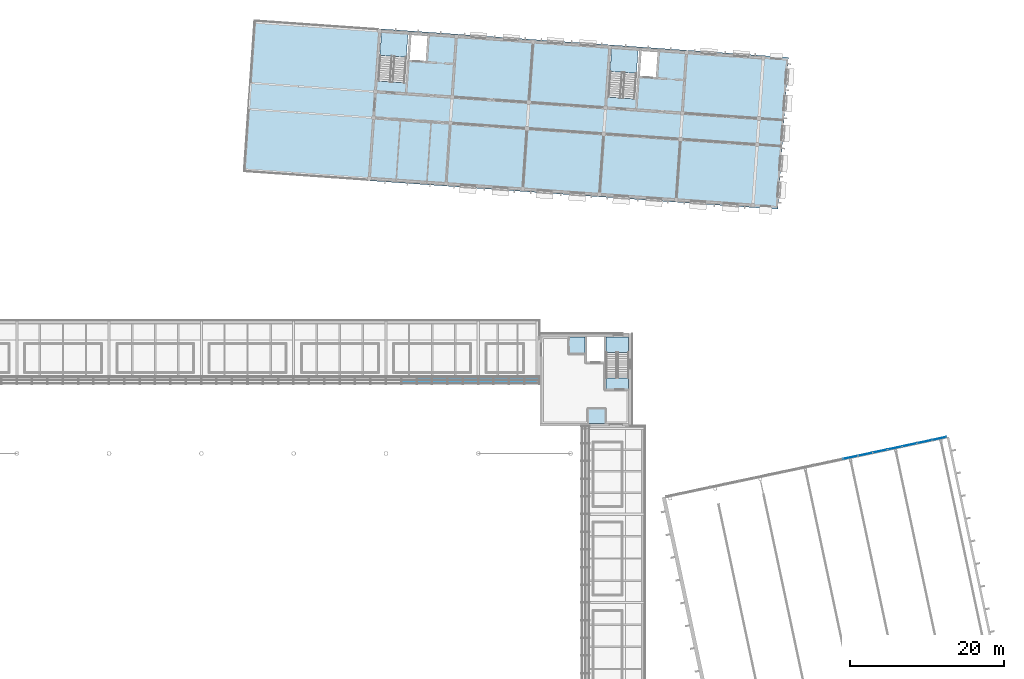
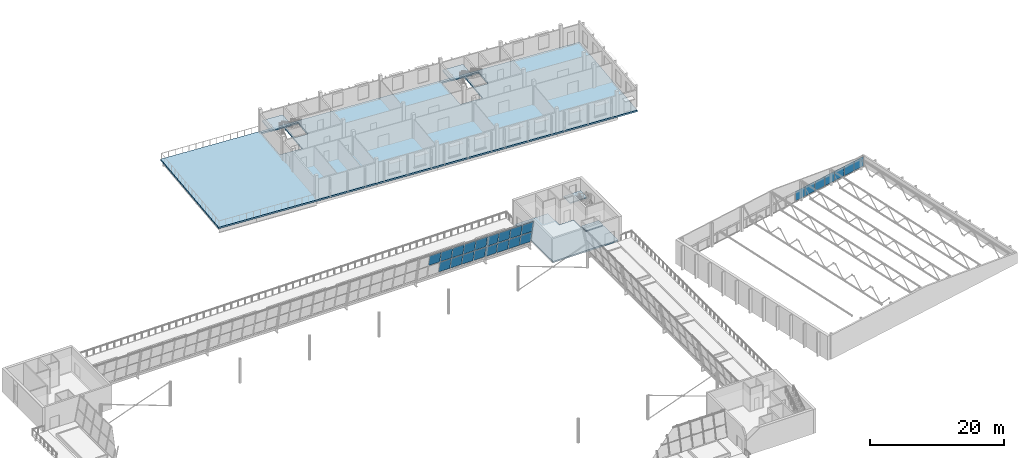
# One storey, part 29 of 58: 24 plates, 6 slabs, 5 elements without a shape of their own.
"""IFC4 building model written with IfcOpenShell, lengths in metres."""

from ifc_helpers import new_model, si_unit, direction, frame, origin, origin_2d, place, context, subcontext, project, spatial, polyline, rectangle, outline, extrude, material, layer, layer_set, type_object, element, aggregate, save


model = new_model("IFC4")

# Units and contexts
model_context = context("Model", 3, precision=1e-05, world=origin(), true_north=direction((0.0, 1.0)))
body_context = subcontext(model_context, "Body", "Model", "MODEL_VIEW")
ifc_project = project(units=[si_unit("LENGTHUNIT", "METRE"), si_unit("AREAUNIT", "SQUARE_METRE"), si_unit("VOLUMEUNIT", "CUBIC_METRE"), si_unit("PLANEANGLEUNIT", "RADIAN"), si_unit("MASSUNIT", "GRAM", prefix="KILO")], contexts=[model_context])

# Site, building, storey
site_placement = place(None, origin())
site = spatial("IfcSite", under=ifc_project, at=site_placement, CompositionType="ELEMENT")
building_placement = place(site_placement, origin())
building = spatial("IfcBuilding", under=site, at=building_placement, Name="Windward Yard Aquatics Centre", CompositionType="ELEMENT")
storey_placement = place(building_placement, frame((0.0, 0.0, 13.800048828125)))
storey = spatial("IfcBuildingStorey", under=building, at=storey_placement, Name="L03", CompositionType="ELEMENT", Elevation=13.800048828125)

# Curtain wall, plates
ifc_material_1 = material(Name="Aluminium and glass", Category="aluminium")
ifc_layer_1 = layer(ifc_material_1, 0.159912109375)
ifc_layer_set_1 = layer_set([ifc_layer_1], Name="D curtain wall 160")
curtain_wall_type_1 = type_object("IfcCurtainWallType", Name="D curtain wall 160", PredefinedType="NOTDEFINED", material=ifc_layer_set_1)
curtain_wall_1_placement = place(storey_placement, origin())
curtain_wall_1 = element("IfcCurtainWall", 1, at=curtain_wall_1_placement, inside=storey, type_object=curtain_wall_type_1, Name="North glazing L03", PredefinedType="NOTDEFINED")
ifc_material_2 = material(Name="Laminated low-iron glass", Category="glass")
ifc_layer_2 = layer(ifc_material_2, 0.028076171875)
ifc_layer_set_2 = layer_set([ifc_layer_2], Name="D curtain wall glass panel 28")
plate_type_1 = type_object("IfcPlateType", Name="D curtain wall glass panel 28", PredefinedType="CURTAIN_PANEL", material=ifc_layer_set_2)
plate_1_placement = place(storey_placement, frame((180.4052734375, 79.890869140625, 0.1201171875), z_axis=(0.0, 0.0, 1.0), x_axis=(0.978147594815, 0.207911718662, 0.0)))
plate_1 = element("IfcPlate", 2, at=plate_1_placement, type_object=plate_type_1, Name="DCW-L03 panel 13.1", PredefinedType="CURTAIN_PANEL", context=body_context, shape_type="SweptSolid", body=[
    extrude(rectangle(XDim=1.90576171875, YDim=0.028076171875, at=origin_2d()), origin(), (0.0, 0.0, 1.0), 1.760009765625),
])
plate_2_placement = place(storey_placement, frame((182.328125, 80.2998046875, 0.1201171875), z_axis=(0.0, 0.0, 1.0), x_axis=(0.978147594815, 0.207911718662, 0.0)))
plate_2 = element("IfcPlate", 3, at=plate_2_placement, type_object=plate_type_1, Name="DCW-L03 panel 14.1", PredefinedType="CURTAIN_PANEL", context=body_context, shape_type="SweptSolid", body=[
    extrude(rectangle(XDim=1.90576171875, YDim=0.028076171875, at=origin_2d()), origin(), (0.0, 0.0, 1.0), 1.760009765625),
])
plate_3_placement = place(storey_placement, frame((184.2509765625, 80.70849609375, 0.1201171875), z_axis=(0.0, 0.0, 1.0), x_axis=(0.978147594815, 0.207911718662, 0.0)))
plate_3 = element("IfcPlate", 4, at=plate_3_placement, type_object=plate_type_1, Name="DCW-L03 panel 15.1", PredefinedType="CURTAIN_PANEL", context=body_context, shape_type="SweptSolid", body=[
    extrude(rectangle(XDim=1.90576171875, YDim=0.028076171875, at=origin_2d()), origin(), (0.0, 0.0, 1.0), 1.760009765625),
])
plate_4_placement = place(storey_placement, frame((186.173583984375, 81.1171875, 0.1201171875), z_axis=(0.0, 0.0, 1.0), x_axis=(0.978147594815, 0.207911718662, 0.0)))
plate_4 = element("IfcPlate", 5, at=plate_4_placement, type_object=plate_type_1, Name="DCW-L03 panel 16.1", PredefinedType="CURTAIN_PANEL", context=body_context, shape_type="SweptSolid", body=[
    extrude(rectangle(XDim=1.90576171875, YDim=0.028076171875, at=origin_2d()), origin(), (0.0, 0.0, 1.0), 1.760009765625),
])
plate_5_placement = place(storey_placement, frame((188.096435546875, 81.52587890625, 0.1201171875), z_axis=(0.0, 0.0, 1.0), x_axis=(0.978147594815, 0.207911718662, 0.0)))
plate_5 = element("IfcPlate", 6, at=plate_5_placement, type_object=plate_type_1, Name="DCW-L03 panel 17.1", PredefinedType="CURTAIN_PANEL", context=body_context, shape_type="SweptSolid", body=[
    extrude(rectangle(XDim=1.90576171875, YDim=0.028076171875, at=origin_2d()), origin(), (0.0, 0.0, 1.0), 1.760009765625),
])
plate_6_placement = place(storey_placement, frame((190.019287109375, 81.9345703125, 0.1201171875), z_axis=(0.0, 0.0, 1.0), x_axis=(0.978147594815, 0.207911718662, 0.0)))
plate_6 = element("IfcPlate", 7, at=plate_6_placement, type_object=plate_type_1, Name="DCW-L03 panel 18.1", PredefinedType="CURTAIN_PANEL", context=body_context, shape_type="SweptSolid", body=[
    extrude(rectangle(XDim=1.90576171875, YDim=0.028076171875, at=origin_2d()), origin(), (0.0, 0.0, 1.0), 1.760009765625),
])
plate_7_placement = place(storey_placement, frame((191.927490234375, 82.340087890625, 0.1201171875), z_axis=(0.0, 0.0, 1.0), x_axis=(0.978147594815, 0.207911718662, 0.0)))
plate_7 = element("IfcPlate", 8, at=plate_7_placement, type_object=plate_type_1, Name="DCW-L03 panel 19.1", PredefinedType="CURTAIN_PANEL", context=body_context, shape_type="SweptSolid", body=[
    extrude(rectangle(XDim=1.875732421875, YDim=0.028076171875, at=origin_2d()), origin(), (0.0, 0.0, 1.0), 1.760009765625),
])
aggregate(curtain_wall_1, [plate_1, plate_2, plate_3, plate_4, plate_5, plate_6, plate_7])

# Slabs
ifc_material_3 = material(Name="Concrete C35/45", Category="concrete")
ifc_layer_3 = layer(ifc_material_3, 0.25)
ifc_layer_set_3 = layer_set([ifc_layer_3], Name="H Core Floor Concrete C35/45 250")
slab_type_1 = type_object("IfcSlabType", Name="H Core Floor Concrete C35/45 250", PredefinedType="FLOOR", material=ifc_layer_set_3)
slab_1_placement = place(storey_placement, frame((0.0, 0.0, -0.25)))
element("IfcSlab", 9, at=slab_1_placement, inside=storey, type_object=slab_type_1, Name="L03 core floor NE", PredefinedType="FLOOR", context=body_context, shape_type="SweptSolid", body=[
    extrude(outline(polyline([(140.300048828125, 84.300048828125), (151.550048828125, 84.300048828125), (151.550048828125, 88.60009765625), (148.39990234375, 88.60009765625), (148.39990234375, 92.14990234375), (145.89990234375, 92.14990234375), (145.89990234375, 95.550048828125), (140.300048828125, 95.550048828125), (140.300048828125, 84.300048828125)])), origin(), (0.0, 0.0, 1.0), 0.25),
])
slab_2_placement = place(storey_placement, frame((0.0, 0.0, -0.25)))
element("IfcSlab", 10, at=slab_2_placement, inside=storey, type_object=slab_type_1, Name="L03 stair floor landing NE", PredefinedType="FLOOR", context=body_context, shape_type="SweptSolid", body=[
    extrude(outline(polyline([(148.60009765625, 88.800048828125), (151.550048828125, 88.800048828125), (151.550048828125, 90.199951171875), (148.60009765625, 90.199951171875), (148.60009765625, 88.800048828125)])), origin(), (0.0, 0.0, 1.0), 0.25),
])

# Stair, slab
stair_type_1 = type_object("IfcStairType", Name="H Core Stair Concrete C35/45 1400", PredefinedType="HALF_TURN_STAIR", material=ifc_material_3)
stair_1_placement = place(storey_placement, origin())
stair_1 = element("IfcStair", 11, at=stair_1_placement, inside=storey, type_object=stair_type_1, Name="L03 Stair NE", PredefinedType="HALF_TURN_STAIR")
ifc_layer_4 = layer(ifc_material_3, 0.199951171875)
ifc_layer_set_4 = layer_set([ifc_layer_4], Name="H Stair Landing Concrete C35/45 200")
slab_type_2 = type_object("IfcSlabType", Name="H Stair Landing Concrete C35/45 200", PredefinedType="LANDING", material=ifc_layer_set_4)
slab_3_placement = place(storey_placement, frame((0.0, 0.0, 2.0)))
slab_3 = element("IfcSlab", 12, at=slab_3_placement, type_object=slab_type_2, Name="ST4 landing 1", PredefinedType="LANDING", context=body_context, shape_type="SweptSolid", body=[
    extrude(outline(polyline([(148.60009765625, 93.56005859375), (151.550048828125, 93.56005859375), (151.550048828125, 95.550048828125), (148.60009765625, 95.550048828125), (148.60009765625, 93.56005859375)])), origin(), (0.0, 0.0, 1.0), 0.199951171875),
])
aggregate(stair_1, [slab_3])

# Curtain wall, plates
ifc_material_4 = material(Name="Glass and aluminium curtain wall", Category="aluminium")
ifc_layer_5 = layer(ifc_material_4, 0.179931640625)
ifc_layer_set_5 = layer_set([ifc_layer_5], Name="H curtain wall tier 2 double glazed 6+16+6")
curtain_wall_type_2 = type_object("IfcCurtainWallType", Name="H curtain wall tier 2 double glazed 6+16+6", PredefinedType="NOTDEFINED", material=ifc_layer_set_5)
curtain_wall_2_placement = place(storey_placement, origin())
curtain_wall_2 = element("IfcCurtainWall", 13, at=curtain_wall_2_placement, inside=storey, type_object=curtain_wall_type_2, Name="Tier 2 glazing N L03", PredefinedType="NOTDEFINED")
ifc_material_5 = material(Name="Low-iron glass", Category="glass")
ifc_layer_6 = layer(ifc_material_5, 0.006, Name="Outer pane")
ifc_material_6 = material(Name="Argon-filled cavity")
ifc_layer_7 = layer(ifc_material_6, 0.016, Name="Cavity")
ifc_layer_8 = layer(ifc_material_5, 0.006, Name="Inner pane")
ifc_layer_set_6 = layer_set([ifc_layer_6, ifc_layer_7, ifc_layer_8], Name="H tier 2 glass low-e double glazed unit 28")
plate_type_2 = type_object("IfcPlateType", Name="H tier 2 glass low-e double glazed unit 28", PredefinedType="CURTAIN_PANEL", material=ifc_layer_set_6)
plate_8_placement = place(storey_placement, frame((122.034912109375, 89.528564453125, 4.3046875), z_axis=(0.0, 0.979943605564, 0.199275010764), x_axis=(0.0, 0.199275010764, -0.979943605564)))
plate_8 = element("IfcPlate", 14, at=plate_8_placement, type_object=plate_type_2, Name="G2NB panel 11.2", PredefinedType="CURTAIN_PANEL", context=body_context, shape_type="SweptSolid", body=[
    extrude(outline(polyline([(0.0, 0.0), (2.094997, 0.0), (2.094997, -1.934814), (0.0, -1.934814), (0.0, 0.0)])), origin(), (0.0, 0.0, -1.0), 0.028076171875),
])
plate_9_placement = place(storey_placement, frame((124.03466796875, 89.966064453125, 2.15380859375), z_axis=(0.0, 0.979914212601, 0.199419497399), x_axis=(0.0, 0.199419497399, -0.979914212601)))
plate_9 = element("IfcPlate", 15, at=plate_9_placement, type_object=plate_type_2, Name="G2NB panel 12.1", PredefinedType="CURTAIN_PANEL", context=body_context, shape_type="SweptSolid", body=[
    extrude(outline(polyline([(0.0, 0.0), (2.088582, 0.0), (2.088582, -1.93457), (0.0, -1.93457), (0.0, 0.0)])), origin(), (0.0, 0.0, -1.0), 0.028076171875),
])
plate_10_placement = place(storey_placement, frame((124.03466796875, 89.528564453125, 4.3046875), z_axis=(0.0, 0.979943605564, 0.199275010764), x_axis=(0.0, 0.199275010764, -0.979943605564)))
plate_10 = element("IfcPlate", 16, at=plate_10_placement, type_object=plate_type_2, Name="G2NB panel 12.2", PredefinedType="CURTAIN_PANEL", context=body_context, shape_type="SweptSolid", body=[
    extrude(outline(polyline([(0.0, 0.0), (2.094997, 0.0), (2.094997, -1.93457), (0.0, -1.93457), (0.0, 0.0)])), origin(), (0.0, 0.0, -1.0), 0.028076171875),
])
plate_11_placement = place(storey_placement, frame((126.034423828125, 89.966064453125, 2.15380859375), z_axis=(0.0, 0.979914212601, 0.199419497399), x_axis=(0.0, 0.199419497399, -0.979914212601)))
plate_11 = element("IfcPlate", 17, at=plate_11_placement, type_object=plate_type_2, Name="G2NB panel 13.1", PredefinedType="CURTAIN_PANEL", context=body_context, shape_type="SweptSolid", body=[
    extrude(outline(polyline([(0.0, 0.0), (2.088582, 0.0), (2.088582, -1.93457), (0.0, -1.93457), (0.0, 0.0)])), origin(), (0.0, 0.0, -1.0), 0.028076171875),
])
plate_12_placement = place(storey_placement, frame((126.034423828125, 89.528564453125, 4.3046875), z_axis=(0.0, 0.979943605564, 0.199275010764), x_axis=(0.0, 0.199275010764, -0.979943605564)))
plate_12 = element("IfcPlate", 18, at=plate_12_placement, type_object=plate_type_2, Name="G2NB panel 13.2", PredefinedType="CURTAIN_PANEL", context=body_context, shape_type="SweptSolid", body=[
    extrude(outline(polyline([(0.0, 0.0), (2.094997, 0.0), (2.094997, -1.93457), (0.0, -1.93457), (0.0, 0.0)])), origin(), (0.0, 0.0, -1.0), 0.028076171875),
])
plate_13_placement = place(storey_placement, frame((128.0341796875, 89.966064453125, 2.15380859375), z_axis=(0.0, 0.979914212601, 0.199419497399), x_axis=(0.0, 0.199419497399, -0.979914212601)))
plate_13 = element("IfcPlate", 19, at=plate_13_placement, type_object=plate_type_2, Name="G2NB panel 14.1", PredefinedType="CURTAIN_PANEL", context=body_context, shape_type="SweptSolid", body=[
    extrude(outline(polyline([(0.0, 0.0), (2.088582, 0.0), (2.088582, -1.93457), (0.0, -1.93457), (0.0, 0.0)])), origin(), (0.0, 0.0, -1.0), 0.028076171875),
])
plate_14_placement = place(storey_placement, frame((128.0341796875, 89.528564453125, 4.3046875), z_axis=(0.0, 0.979943605564, 0.199275010764), x_axis=(0.0, 0.199275010764, -0.979943605564)))
plate_14 = element("IfcPlate", 20, at=plate_14_placement, type_object=plate_type_2, Name="G2NB panel 14.2", PredefinedType="CURTAIN_PANEL", context=body_context, shape_type="SweptSolid", body=[
    extrude(outline(polyline([(0.0, 0.0), (2.094997, 0.0), (2.094997, -1.93457), (0.0, -1.93457), (0.0, 0.0)])), origin(), (0.0, 0.0, -1.0), 0.028076171875),
])
plate_15_placement = place(storey_placement, frame((130.033935546875, 89.966064453125, 2.15380859375), z_axis=(0.0, 0.979914212601, 0.199419497399), x_axis=(0.0, 0.199419497399, -0.979914212601)))
plate_15 = element("IfcPlate", 21, at=plate_15_placement, type_object=plate_type_2, Name="G2NB panel 15.1", PredefinedType="CURTAIN_PANEL", context=body_context, shape_type="SweptSolid", body=[
    extrude(outline(polyline([(0.0, 0.0), (2.088582, 0.0), (2.088582, -1.93457), (0.0, -1.93457), (0.0, 0.0)])), origin(), (0.0, 0.0, -1.0), 0.028076171875),
])
plate_16_placement = place(storey_placement, frame((130.033935546875, 89.528564453125, 4.3046875), z_axis=(0.0, 0.979943605564, 0.199275010764), x_axis=(0.0, 0.199275010764, -0.979943605564)))
plate_16 = element("IfcPlate", 22, at=plate_16_placement, type_object=plate_type_2, Name="G2NB panel 15.2", PredefinedType="CURTAIN_PANEL", context=body_context, shape_type="SweptSolid", body=[
    extrude(outline(polyline([(0.0, 0.0), (2.094997, 0.0), (2.094997, -1.93457), (0.0, -1.93457), (0.0, 0.0)])), origin(), (0.0, 0.0, -1.0), 0.028076171875),
])
plate_17_placement = place(storey_placement, frame((132.033447265625, 89.966064453125, 2.15380859375), z_axis=(0.0, 0.979914212601, 0.199419497399), x_axis=(0.0, 0.199419497399, -0.979914212601)))
plate_17 = element("IfcPlate", 23, at=plate_17_placement, type_object=plate_type_2, Name="G2NB panel 16.1", PredefinedType="CURTAIN_PANEL", context=body_context, shape_type="SweptSolid", body=[
    extrude(outline(polyline([(0.0, 0.0), (2.088582, 0.0), (2.088582, -1.934814), (0.0, -1.934814), (0.0, 0.0)])), origin(), (0.0, 0.0, -1.0), 0.028076171875),
])
plate_18_placement = place(storey_placement, frame((132.033447265625, 89.528564453125, 4.3046875), z_axis=(0.0, 0.979943605564, 0.199275010764), x_axis=(0.0, 0.199275010764, -0.979943605564)))
plate_18 = element("IfcPlate", 24, at=plate_18_placement, type_object=plate_type_2, Name="G2NB panel 16.2", PredefinedType="CURTAIN_PANEL", context=body_context, shape_type="SweptSolid", body=[
    extrude(outline(polyline([(0.0, 0.0), (2.094997, 0.0), (2.094997, -1.934814), (0.0, -1.934814), (0.0, 0.0)])), origin(), (0.0, 0.0, -1.0), 0.028076171875),
])
plate_19_placement = place(storey_placement, frame((134.033203125, 89.966064453125, 2.15380859375), z_axis=(0.0, 0.979914212601, 0.199419497399), x_axis=(0.0, 0.199419497399, -0.979914212601)))
plate_19 = element("IfcPlate", 25, at=plate_19_placement, type_object=plate_type_2, Name="G2NB panel 17.1", PredefinedType="CURTAIN_PANEL", context=body_context, shape_type="SweptSolid", body=[
    extrude(outline(polyline([(0.0, 0.0), (2.088582, 0.0), (2.088582, -1.934814), (0.0, -1.934814), (0.0, 0.0)])), origin(), (0.0, 0.0, -1.0), 0.028076171875),
])
plate_20_placement = place(storey_placement, frame((134.033203125, 89.528564453125, 4.3046875), z_axis=(0.0, 0.979943605564, 0.199275010764), x_axis=(0.0, 0.199275010764, -0.979943605564)))
plate_20 = element("IfcPlate", 26, at=plate_20_placement, type_object=plate_type_2, Name="G2NB panel 17.2", PredefinedType="CURTAIN_PANEL", context=body_context, shape_type="SweptSolid", body=[
    extrude(outline(polyline([(0.0, 0.0), (2.094997, 0.0), (2.094997, -1.934814), (0.0, -1.934814), (0.0, 0.0)])), origin(), (0.0, 0.0, -1.0), 0.028076171875),
])
plate_21_placement = place(storey_placement, frame((136.032958984375, 89.966064453125, 2.15380859375), z_axis=(0.0, 0.979914212601, 0.199419497399), x_axis=(0.0, 0.199419497399, -0.979914212601)))
plate_21 = element("IfcPlate", 27, at=plate_21_placement, type_object=plate_type_2, Name="G2NB panel 18.1", PredefinedType="CURTAIN_PANEL", context=body_context, shape_type="SweptSolid", body=[
    extrude(outline(polyline([(0.0, 0.0), (2.088582, 0.0), (2.088582, -1.934814), (0.0, -1.934814), (0.0, 0.0)])), origin(), (0.0, 0.0, -1.0), 0.028076171875),
])
plate_22_placement = place(storey_placement, frame((136.032958984375, 89.528564453125, 4.3046875), z_axis=(0.0, 0.979943605564, 0.199275010764), x_axis=(0.0, 0.199275010764, -0.979943605564)))
plate_22 = element("IfcPlate", 28, at=plate_22_placement, type_object=plate_type_2, Name="G2NB panel 18.2", PredefinedType="CURTAIN_PANEL", context=body_context, shape_type="SweptSolid", body=[
    extrude(outline(polyline([(0.0, 0.0), (2.094997, 0.0), (2.094997, -1.934814), (0.0, -1.934814), (0.0, 0.0)])), origin(), (0.0, 0.0, -1.0), 0.028076171875),
])
plate_23_placement = place(storey_placement, frame((138.03271484375, 89.966064453125, 2.15380859375), z_axis=(0.0, 0.979914212601, 0.199419497399), x_axis=(0.0, 0.199419497399, -0.979914212601)))
plate_23 = element("IfcPlate", 29, at=plate_23_placement, type_object=plate_type_2, Name="G2NB panel 19.1", PredefinedType="CURTAIN_PANEL", context=body_context, shape_type="SweptSolid", body=[
    extrude(outline(polyline([(0.0, 0.0), (2.088582, 0.0), (2.088582, -1.902344), (0.0, -1.902344), (0.0, 0.0)])), origin(), (0.0, 0.0, -1.0), 0.028076171875),
])
plate_24_placement = place(storey_placement, frame((138.03271484375, 89.528564453125, 4.3046875), z_axis=(0.0, 0.979943605564, 0.199275010764), x_axis=(0.0, 0.199275010764, -0.979943605564)))
plate_24 = element("IfcPlate", 30, at=plate_24_placement, type_object=plate_type_2, Name="G2NB panel 19.2", PredefinedType="CURTAIN_PANEL", context=body_context, shape_type="SweptSolid", body=[
    extrude(outline(polyline([(0.0, 0.0), (2.094997, 0.0), (2.094997, -1.902344), (0.0, -1.902344), (0.0, 0.0)])), origin(), (0.0, 0.0, -1.0), 0.028076171875),
])
aggregate(curtain_wall_2, [plate_8, plate_9, plate_10, plate_11, plate_12, plate_13, plate_14, plate_15, plate_16, plate_17, plate_18, plate_19, plate_20, plate_21, plate_22, plate_23, plate_24])

# Slab
ifc_layer_9 = layer(ifc_material_3, 0.280029296875)
ifc_layer_set_7 = layer_set([ifc_layer_9], Name="W floor slab 280 Concrete C35/45")
slab_type_3 = type_object("IfcSlabType", Name="W floor slab 280 Concrete C35/45", PredefinedType="FLOOR", material=ifc_layer_set_7)
slab_4_placement = place(storey_placement, frame((0.0, 0.0, -0.280029296875)))
element("IfcSlab", 31, at=slab_4_placement, inside=storey, type_object=slab_type_3, Name="W.SLAB.L03", PredefinedType="FLOOR", context=body_context, shape_type="SweptSolid", body=[
    extrude(outline(polyline([(101.4580078125, 117.01220703125), (170.938232421875, 112.15380859375), (172.3193359375, 131.905517578125), (102.839111328125, 136.763916015625), (101.4580078125, 117.01220703125)]), holes=[polyline([(118.85009765625, 128.837890625), (122.591064453125, 128.576416015625), (123.034912109375, 134.92578125), (119.294189453125, 135.187255859375), (118.85009765625, 128.837890625)]), polyline([(123.05078125, 131.56640625), (125.195556640625, 131.41650390625), (125.42919921875, 134.75830078125), (123.284423828125, 134.908203125), (123.05078125, 131.56640625)]), polyline([(148.777099609375, 126.7451171875), (152.51806640625, 126.483642578125), (152.9619140625, 132.8330078125), (149.22119140625, 133.0947265625), (148.777099609375, 126.7451171875)]), polyline([(152.977783203125, 129.473876953125), (155.122314453125, 129.32373046875), (155.356201171875, 132.665771484375), (153.211181640625, 132.815673828125), (152.977783203125, 129.473876953125)])]), origin(), (0.0, 0.0, 1.0), 0.280029296875),
])

# Stair, slab
stair_type_2 = type_object("IfcStairType", Name="W exit stair 1600", PredefinedType="HALF_TURN_STAIR", material=ifc_material_3)
stair_2_placement = place(storey_placement, origin())
stair_2 = element("IfcStair", 32, at=stair_2_placement, inside=storey, type_object=stair_type_2, Name="W.ST.W.L03", PredefinedType="HALF_TURN_STAIR")
ifc_layer_10 = layer(ifc_material_3, 0.199951171875)
ifc_layer_set_8 = layer_set([ifc_layer_10], Name="W stair landing 200 Concrete C35/45")
slab_type_4 = type_object("IfcSlabType", Name="W stair landing 200 Concrete C35/45", PredefinedType="LANDING", material=ifc_layer_set_8)
slab_5_placement = place(storey_placement, frame((0.0, 0.0, 2.0)))
slab_5 = element("IfcSlab", 33, at=slab_5_placement, type_object=slab_type_4, Name="ST-W landing 1", PredefinedType="LANDING", context=body_context, shape_type="SweptSolid", body=[
    extrude(outline(polyline([(119.207763671875, 132.160888671875), (122.6494140625, 131.92041015625), (122.860595703125, 134.93798828125), (119.4189453125, 135.1787109375), (119.207763671875, 132.160888671875)])), origin(), (0.0, 0.0, 1.0), 0.199951171875),
])
aggregate(stair_2, [slab_5])

stair_3_placement = place(storey_placement, origin())
stair_3 = element("IfcStair", 34, at=stair_3_placement, inside=storey, type_object=stair_type_2, Name="W.ST.E.L03", PredefinedType="HALF_TURN_STAIR")
slab_6_placement = place(storey_placement, frame((0.0, 0.0, 2.0)))
slab_6 = element("IfcSlab", 35, at=slab_6_placement, type_object=slab_type_4, Name="ST-E landing 1", PredefinedType="LANDING", context=body_context, shape_type="SweptSolid", body=[
    extrude(outline(polyline([(149.134765625, 130.068359375), (152.576416015625, 129.82763671875), (152.787353515625, 132.84521484375), (149.345703125, 133.0859375), (149.134765625, 130.068359375)])), origin(), (0.0, 0.0, 1.0), 0.199951171875),
])
aggregate(stair_3, [slab_6])

save(model, "model.ifc")
